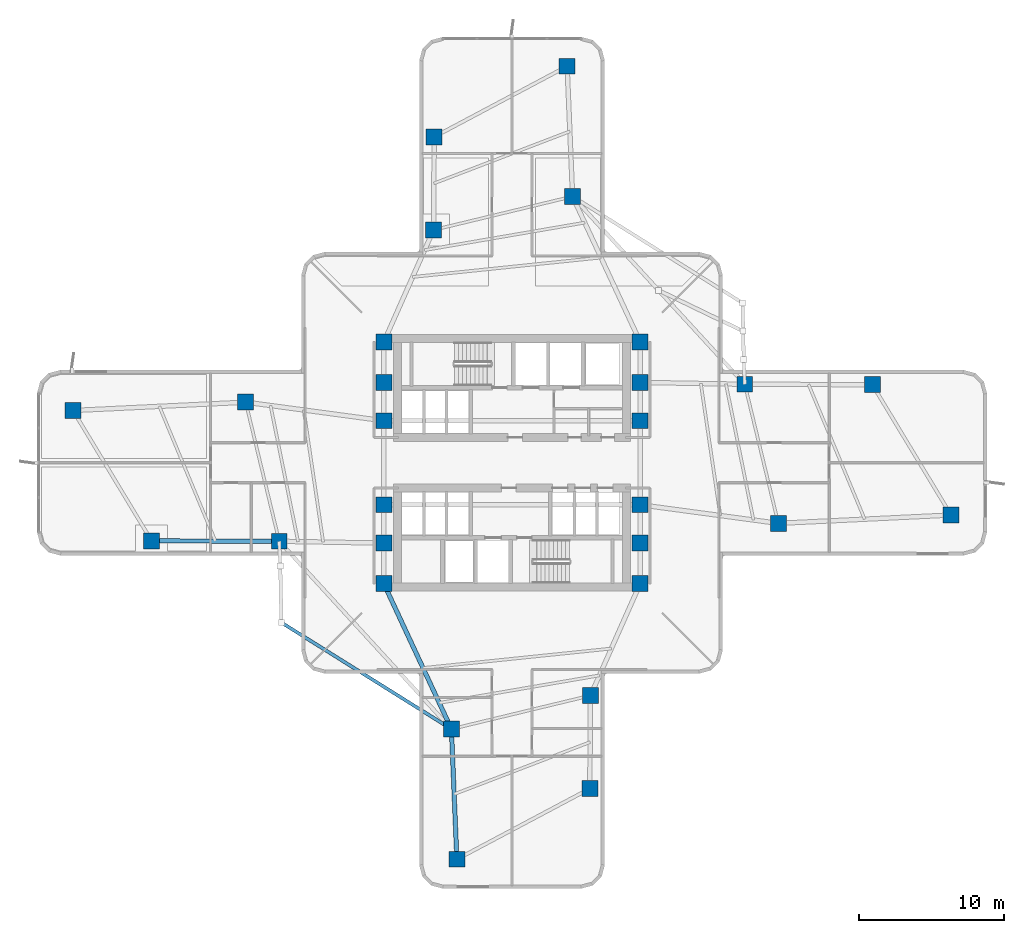
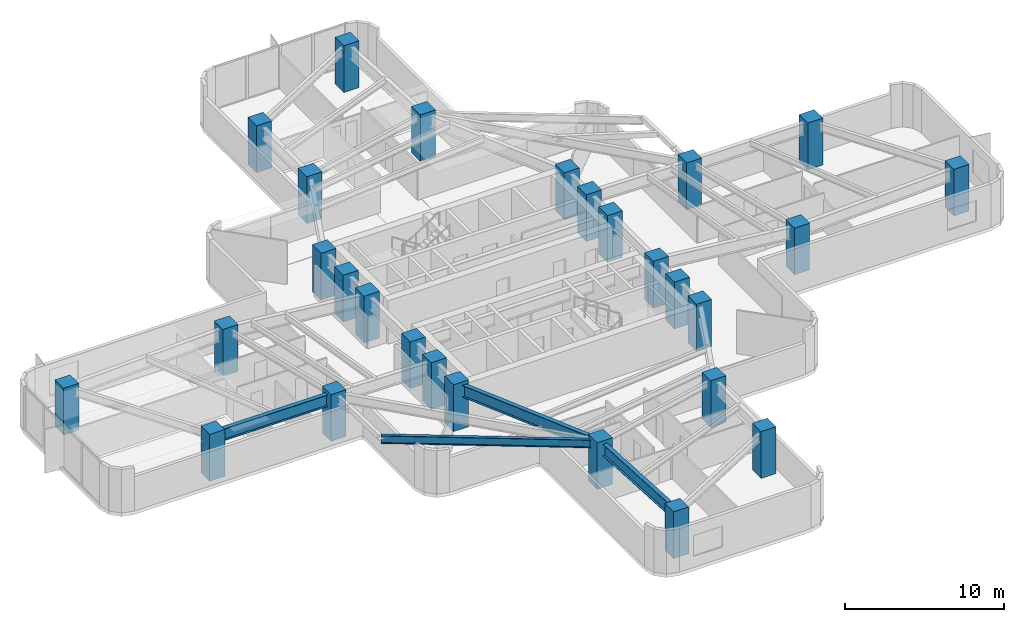
# One storey, part 1 of 14: 28 columns, 4 beams.
"""IFC4 building model written with IfcOpenShell, lengths in metres."""

import ifcopenshell
import ifcopenshell.guid

model = None  # the IFC model being written
_history = None  # IfcOwnerHistory: only IFC2X3 demands one
_inside = {}  # id of a spatial element -> (the spatial element, [elements in it])
_under = {}  # id of a project, library or spatial element -> (it, [spatial elements below it])
_declared = {}  # id of a project -> (the project, [libraries it declares])
_typed = {}  # id of a type object -> (the type object, [elements of that type])
_made_of = {}  # id of a material, layer set ... -> (it, [elements and type objects made of it])


def new_model(schema):
    """Start an empty IFC model of exactly this schema.

    Asked for "IFC4X3", IfcOpenShell would pick the latest addendum, in which some entities
    have other attributes; the version numbers below select the first issue.
    IFC2X3 requires an IfcOwnerHistory on every rooted entity: one is made here for all.
    """
    global model, _history
    if schema == "IFC4X3":
        model = ifcopenshell.file(schema_version=(4, 3, 0, 0))
    else:
        model = ifcopenshell.file(schema=schema)
    _inside.clear()
    _under.clear()
    _declared.clear()
    _typed.clear()
    _made_of.clear()
    _history = None
    if model.schema == "IFC2X3":
        org = make("IfcOrganization", Name="unknown")
        user = make(
            "IfcPersonAndOrganization",
            ThePerson=make("IfcPerson", FamilyName="unknown"),
            TheOrganization=org,
        )
        app = make(
            "IfcApplication",
            ApplicationDeveloper=org,
            Version="unknown",
            ApplicationFullName="unknown",
            ApplicationIdentifier="unknown",
        )
        _history = make(
            "IfcOwnerHistory",
            OwningUser=user,
            OwningApplication=app,
            ChangeAction="ADDED",
            CreationDate=0,
        )
    return model


def make(cls, **values):
    """One entity of the class cls with the attributes given. An attribute that is None is left unset."""
    return model.create_entity(
        cls, **{name: value for name, value in values.items() if value is not None}
    )


def rooted(cls, **values):
    """An entity with a GlobalId (a new one), such as an element, a storey or a relation."""
    return make(cls, GlobalId=ifcopenshell.guid.new(), OwnerHistory=_history, **values)


def si_unit(unit_type, name, prefix=None):
    """IfcSIUnit, for example si_unit("LENGTHUNIT", "METRE", prefix="MILLI")."""
    return make("IfcSIUnit", UnitType=unit_type, Prefix=prefix, Name=name)


def assignment(units):
    """IfcUnitAssignment: the units of a project."""
    return None if units is None else make("IfcUnitAssignment", Units=units)


def point(xyz):
    """IfcCartesianPoint."""
    return None if xyz is None else make("IfcCartesianPoint", Coordinates=xyz)


def direction(xyz):
    """IfcDirection."""
    return None if xyz is None else make("IfcDirection", DirectionRatios=xyz)


def frame(location, z_axis=None, x_axis=None):
    """IfcAxis2Placement3D, a coordinate frame: its origin and axes. An axis left out is left unset."""
    return make(
        "IfcAxis2Placement3D",
        Location=point(location),
        Axis=direction(z_axis),
        RefDirection=direction(x_axis),
    )


def frame_2d(location, x_axis=None):
    """IfcAxis2Placement2D, a coordinate frame in the plane: its origin and x axis."""
    return make(
        "IfcAxis2Placement2D", Location=point(location), RefDirection=direction(x_axis)
    )


def origin():
    """The frame at (0, 0, 0) with its axes left unset."""
    return frame((0.0, 0.0, 0.0))


def origin_2d():
    """The frame at (0, 0) in the plane with its x axis left unset."""
    return frame_2d((0.0, 0.0))


def place(relative_to, where):
    """IfcLocalPlacement: puts the frame where relative to a parent placement (None: the world)."""
    return make(
        "IfcLocalPlacement", PlacementRelTo=relative_to, RelativePlacement=where
    )


def context(
    kind, dimensions, precision=None, world=None, true_north=None, identifier=None
):
    """IfcGeometricRepresentationContext, for example the 3D "Model" context."""
    return make(
        "IfcGeometricRepresentationContext",
        ContextIdentifier=identifier,
        ContextType=kind,
        CoordinateSpaceDimension=dimensions,
        Precision=precision,
        WorldCoordinateSystem=world,
        TrueNorth=true_north,
    )


def subcontext(parent, identifier, kind, view, scale=None):
    """IfcGeometricRepresentationSubContext, for example "Body" below "Model"."""
    return make(
        "IfcGeometricRepresentationSubContext",
        ContextIdentifier=identifier,
        ContextType=kind,
        ParentContext=parent,
        TargetScale=scale,
        TargetView=view,
    )


def project(units=None, contexts=None):
    """IfcProject with its units and contexts."""
    return rooted(
        "IfcProject",
        Name="project",
        RepresentationContexts=contexts,
        UnitsInContext=assignment(units),
    )


def spatial(cls, under=None, at=None, **own):
    """A site, building, storey or space (cls), placed at a placement, below another one or the project."""
    s = rooted(cls, ObjectPlacement=at, **own)
    if under is not None:
        _under.setdefault(under.id(), (under, []))[1].append(s)
    return s


def profile(cls, at=None, kind="AREA", **sizes):
    """A parametric profile (cls). Its sizes go by their IFC names, for example OverallWidth=200.0."""
    return make(cls, ProfileType=kind, Position=at, **sizes)


def rectangle(**sizes):
    """IfcRectangleProfileDef."""
    return profile("IfcRectangleProfileDef", **sizes)


def i_section(**sizes):
    """IfcIShapeProfileDef."""
    return profile("IfcIShapeProfileDef", **sizes)


def extrude(swept, where, along, depth):
    """IfcExtrudedAreaSolid: the profile swept, set in the frame where, extruded along a direction by depth."""
    return make(
        "IfcExtrudedAreaSolid",
        SweptArea=swept,
        Position=where,
        ExtrudedDirection=direction(along),
        Depth=depth,
    )


def shape(context_of_items, identifier, shape_type, items):
    """IfcShapeRepresentation: the items that make up one representation, for example the "Body"."""
    return make(
        "IfcShapeRepresentation",
        ContextOfItems=context_of_items,
        RepresentationIdentifier=identifier,
        RepresentationType=shape_type,
        Items=items,
    )


def material(Name=None, Category=None):
    """IfcMaterial."""
    return make("IfcMaterial", Name=Name, Category=Category)


def material_profile(
    of_material, cross_section, Name=None, Category=None, Priority=None
):
    """IfcMaterialProfile: a cross section and its material."""
    return make(
        "IfcMaterialProfile",
        Name=Name,
        Material=of_material,
        Profile=cross_section,
        Priority=Priority,
        Category=Category,
    )


def profile_set(profiles, Name=None, composite=None):
    """IfcMaterialProfileSet."""
    return make(
        "IfcMaterialProfileSet",
        Name=Name,
        MaterialProfiles=profiles,
        CompositeProfile=composite,
    )


def made_of(thing, what):
    """Note that an element or type object is made of a material, layer set ...; save() writes the relation."""
    if what is not None:
        _made_of.setdefault(what.id(), (what, []))[1].append(thing)
    return thing


def type_object(cls, material=None, **own):
    """A type object (cls), such as IfcWallType, which elements share."""
    return made_of(rooted(cls, **own), material)


def element(
    cls,
    number,
    at=None,
    inside=None,
    cuts=None,
    type_object=None,
    material=None,
    context=None,
    identifier="Body",
    shape_type=None,
    held_by="IfcProductDefinitionShape",
    body=None,
    shapes=None,
    **own,
):
    """One element of the class cls, such as IfcWall. Its Tag is "e" and its number.

    at: its placement. inside: the storey or other place that contains it. cuts: it is an
    opening in that element (IfcRelVoidsElement). A single representation is given by context,
    identifier, shape_type and body (its items); several are given by shapes. held_by: the class
    of the entity that holds the representations. save() writes the other relations.
    """
    e = rooted(cls, Tag="e%d" % number, ObjectPlacement=at, **own)
    if body is not None:
        shapes = [shape(context, identifier, shape_type, body)]
    if shapes is not None:
        e.Representation = make(held_by, Representations=shapes)
    if inside is not None:
        _inside.setdefault(inside.id(), (inside, []))[1].append(e)
    if cuts is not None:
        rooted(
            "IfcRelVoidsElement", RelatingBuildingElement=cuts, RelatedOpeningElement=e
        )
    if type_object is not None:
        _typed.setdefault(type_object.id(), (type_object, []))[1].append(e)
    return made_of(e, material)


def aggregate(whole, parts):
    """IfcRelAggregates: a whole, such as a stair, and the parts it consists of."""
    return rooted("IfcRelAggregates", RelatingObject=whole, RelatedObjects=parts)


def save(model, path):
    """Write the relations noted so far, then the file.

    IfcRelAggregates (storeys below a building ...), IfcRelContainedInSpatialStructure (elements
    in a storey), IfcRelDefinesByType, IfcRelAssociatesMaterial and IfcRelDeclares: one each for
    every whole, place, type object, material and project.
    """
    for whole, parts in _under.values():
        aggregate(whole, parts)
    for where, things in _inside.values():
        rooted(
            "IfcRelContainedInSpatialStructure",
            RelatedElements=things,
            RelatingStructure=where,
        )
    for kind, things in _typed.values():
        rooted("IfcRelDefinesByType", RelatedObjects=things, RelatingType=kind)
    for what, things in _made_of.values():
        rooted("IfcRelAssociatesMaterial", RelatedObjects=things, RelatingMaterial=what)
    for by, libraries in _declared.values():
        rooted("IfcRelDeclares", RelatingContext=by, RelatedDefinitions=libraries)
    model.write(path)


model = new_model("IFC4")

# Units and contexts
model_context = context("Model", 3, precision=1e-05, world=origin(), true_north=direction((0.0, 1.0)))
body_context = subcontext(model_context, "Body", "Model", "MODEL_VIEW")
ifc_project = project(units=[si_unit("LENGTHUNIT", "METRE"), si_unit("AREAUNIT", "SQUARE_METRE"), si_unit("VOLUMEUNIT", "CUBIC_METRE"), si_unit("PLANEANGLEUNIT", "RADIAN"), si_unit("MASSUNIT", "GRAM", prefix="KILO")], contexts=[model_context])

# Site, building, storey
site_placement = place(None, origin())
site = spatial("IfcSite", under=ifc_project, at=site_placement, CompositionType="ELEMENT")
building_placement = place(site_placement, origin())
building = spatial("IfcBuilding", under=site, at=building_placement, Name="Solmarez Civic Tower", CompositionType="ELEMENT")
storey_placement = place(building_placement, frame((0.0, 0.0, 31.679931640625)))
storey = spatial("IfcBuildingStorey", under=building, at=storey_placement, Name="L07", CompositionType="ELEMENT", Elevation=31.679931640625)

# Columns
ifc_material_1 = material(Name="Concrete C60/75", Category="concrete")
ifc_material_profile_1 = material_profile(ifc_material_1, rectangle(XDim=1.10009765625, YDim=1.10009765625, at=origin_2d()), Name="RC1100X1100")
ifc_profile_set_1 = profile_set([ifc_material_profile_1], Name="Concrete C60/75")
column_type = type_object("IfcColumnType", Name="COL-RC1100", PredefinedType="COLUMN", material=ifc_profile_set_1)
for number, where, z_axis, x_axis, name in (
    (1, (-8.85009765625, -5.550048828125, 0.0), (0.0, 0.0, 1.0), (1.0, 0.0, 0.0), "L07 Structural Column HC1"),
    (2, (-8.85009765625, -2.89990234375, 0.0), (0.0, 0.0, 1.0), (1.0, 0.0, 0.0), "L07 Structural Column HC2"),
    (3, (-8.85009765625, 2.89990234375, 0.0), (0.0, 0.0, 1.0), (1.0, 0.0, 0.0), "L07 Structural Column HC3"),
    (4, (-8.85009765625, 5.550048828125, 0.0), (0.0, 0.0, 1.0), (1.0, 0.0, 0.0), "L07 Structural Column HC4"),
    (5, (8.85009765625, -5.550048828125, 0.0), (0.0, 0.0, 1.0), (1.0, 0.0, 0.0), "L07 Structural Column HC5"),
    (6, (8.85009765625, -2.89990234375, 0.0), (0.0, 0.0, 1.0), (1.0, 0.0, 0.0), "L07 Structural Column HC6"),
    (7, (8.85009765625, 2.89990234375, 0.0), (0.0, 0.0, 1.0), (1.0, 0.0, 0.0), "L07 Structural Column HC7"),
    (8, (8.85009765625, 5.550048828125, 0.0), (0.0, 0.0, 1.0), (1.0, 0.0, 0.0), "L07 Structural Column HC8"),
    (9, (-8.85009765625, 8.35009765625, 0.0), (0.0, 0.0, 1.0), (1.0, 0.0, 0.0), "L07 Structural Column HC9"),
    (10, (8.85009765625, -8.35009765625, 0.0), (0.0, 0.0, 1.0), (1.0, 0.0, 0.0), "L07 Structural Column HC10"),
    (11, (8.85009765625, 8.35009765625, 0.0), (0.0, 0.0, 1.0), (1.0, 0.0, 0.0), "L07 Structural Column HC11"),
    (12, (-8.85009765625, -8.35009765625, 0.0), (0.0, 0.0, 1.0), (1.0, 0.0, 0.0), "L07 Structural Column HC12"),
    (13, (18.39111328125, -4.18408203125, 0.0), (0.0, 0.0, 1.0), (1.0, 0.0, 0.0), "L07 Structural Column EA11"),
    (14, (16.075927734375, 5.4208984375, 0.0), (0.0, 0.0, 1.0), (1.0, 0.0, 0.0), "L07 Structural Column EA12"),
    (15, (30.318115234375, -3.60888671875, 0.0), (0.0, 0.0, 1.0), (1.0, 0.0, 0.0), "L07 Structural Column EA21"),
    (16, (24.887939453125, 5.39306640625, 0.0), (0.0, 0.0, 1.0), (1.0, 0.0, 0.0), "L07 Structural Column EA22"),
    (17, (4.18408203125, 18.39111328125, 0.0), (0.0, 0.0, 1.0), (1.0, 0.0, 0.0), "L07 Structural Column NA11"),
    (18, (-5.4208984375, 16.075927734375, 0.0), (0.0, 0.0, 1.0), (1.0, 0.0, 0.0), "L07 Structural Column NA12"),
    (19, (3.806884765625, 27.383056640625, 0.0), (0.0, 0.0, 1.0), (1.0, 0.0, 0.0), "L07 Structural Column NA21"),
    (20, (-5.3720703125, 22.507080078125, 0.0), (0.0, 0.0, 1.0), (1.0, 0.0, 0.0), "L07 Structural Column NA22"),
    (21, (-18.39111328125, 4.18408203125, 0.0), (0.0, 0.0, 1.0), (1.0, 0.0, 0.0), "L07 Structural Column WA11"),
    (22, (-16.075927734375, -5.4208984375, 0.0), (0.0, 0.0, 1.0), (1.0, 0.0, 0.0), "L07 Structural Column WA12"),
    (23, (-30.318115234375, 3.60888671875, 0.0), (0.0, 0.0, 1.0), (1.0, 0.0, 0.0), "L07 Structural Column WA21"),
    (24, (-24.887939453125, -5.39306640625, 0.0), (0.0, 0.0, 1.0), (1.0, 0.0, 0.0), "L07 Structural Column WA22"),
    (25, (-4.18408203125, -18.39111328125, 0.0), (0.0, 0.0, 1.0), (1.0, 0.0, 0.0), "L07 Structural Column SA11"),
    (26, (5.4208984375, -16.075927734375, 0.0), (0.0, 0.0, 1.0), (1.0, 0.0, 0.0), "L07 Structural Column SA12"),
    (27, (-3.806884765625, -27.383056640625, 0.0), (0.0, 0.0, 1.0), (1.0, 0.0, 0.0), "L07 Structural Column SA21"),
    (28, (5.3720703125, -22.507080078125, 0.0), (0.0, 0.0, 1.0), (1.0, 0.0, 0.0), "L07 Structural Column SA22"),
):
    element("IfcColumn", number, at=place(storey_placement, frame(where, z_axis=z_axis, x_axis=x_axis)), inside=storey, type_object=column_type, Name=name, PredefinedType="COLUMN", context=body_context, shape_type="SweptSolid", body=[
        extrude(rectangle(XDim=1.10009765625, YDim=1.10009765625, at=origin_2d()), origin(), (0.0, 0.0, 1.0), 3.60009765625),
    ])

# Beams
ifc_material_2 = material(Name="Steel S355", Category="steel")
ifc_material_profile_2 = material_profile(ifc_material_2, i_section(OverallWidth=0.303955078125, OverallDepth=0.910888671875, WebThickness=0.015869140625, FlangeThickness=0.02392578125, at=origin_2d()), Name="W36X150")
ifc_profile_set_2 = profile_set([ifc_material_profile_2], Name="Steel S355")
beam_type_1 = type_object("IfcBeamType", Name="BM-PR-W36X150", PredefinedType="BEAM", material=ifc_profile_set_2)
beam_1_placement = place(storey_placement, frame((-16.075927734375, -5.4208984375, 2.885009765625), z_axis=(-0.99999501223, 0.003158403928, 0.0), x_axis=(-0.003158403928, -0.99999501223, 0.0)))
element("IfcBeam", 29, at=beam_1_placement, inside=storey, type_object=beam_type_1, Name="L07 Primary Floor Beam BM-L07-WA-R2B", PredefinedType="BEAM", context=body_context, shape_type="SweptSolid", body=[
    extrude(i_section(OverallWidth=0.303955078125, OverallDepth=0.910888671875, WebThickness=0.015869140625, FlangeThickness=0.02392578125, at=origin_2d()), origin(), (0.0, 0.0, 1.0), 8.81201171875),
])
beam_2_placement = place(storey_placement, frame((-8.85009765625, -8.35009765625, 2.885009765625), z_axis=(0.421417065364, -0.906866945599, 0.0), x_axis=(0.906866945599, 0.421417065364, 0.0)))
element("IfcBeam", 30, at=beam_2_placement, inside=storey, type_object=beam_type_1, Name="L07 Primary Floor Beam BM-L07-SA-R1A", PredefinedType="BEAM", context=body_context, shape_type="SweptSolid", body=[
    extrude(i_section(OverallWidth=0.303955078125, OverallDepth=0.910888671875, WebThickness=0.015869140625, FlangeThickness=0.02392578125, at=origin_2d()), origin(), (0.0, 0.0, 1.0), 11.072265625),
])
beam_3_placement = place(storey_placement, frame((-4.18408203125, -18.39111328125, 2.885009765625), z_axis=(0.041911499832, -0.999121327058, 0.0), x_axis=(0.999121327058, 0.041911499832, 0.0)))
element("IfcBeam", 31, at=beam_3_placement, inside=storey, type_object=beam_type_1, Name="L07 Primary Floor Beam BM-L07-SA-R2A", PredefinedType="BEAM", context=body_context, shape_type="SweptSolid", body=[
    extrude(i_section(OverallWidth=0.303955078125, OverallDepth=0.910888671875, WebThickness=0.015869140625, FlangeThickness=0.02392578125, at=origin_2d()), origin(), (0.0, 0.0, 1.0), 8.999755859375),
])
ifc_material_profile_3 = material_profile(ifc_material_2, i_section(OverallWidth=0.22900390625, OverallDepth=0.612060546875, WebThickness=0.011962890625, FlangeThickness=0.01953125, at=origin_2d()), Name="W24X84")
ifc_profile_set_3 = profile_set([ifc_material_profile_3], Name="Steel S355")
beam_type_2 = type_object("IfcBeamType", Name="BM-SP-W24X84", PredefinedType="SPANDREL", material=ifc_profile_set_3)
beam_4_placement = place(storey_placement, frame((-4.18408203125, -18.39111328125, 3.0341796875), z_axis=(-0.847382845558, 0.530982403713, 0.0), x_axis=(-0.530982403713, -0.847382845558, 0.0)))
element("IfcBeam", 32, at=beam_4_placement, inside=storey, type_object=beam_type_2, Name="L07 Perimeter Spandrel Beam BM-L07-BALC-SW2", PredefinedType="SPANDREL", context=body_context, shape_type="SweptSolid", body=[
    extrude(i_section(OverallWidth=0.22900390625, OverallDepth=0.612060546875, WebThickness=0.011962890625, FlangeThickness=0.01953125, at=origin_2d()), origin(), (0.0, 0.0, 1.0), 13.85205078125),
])

save(model, "model.ifc")
